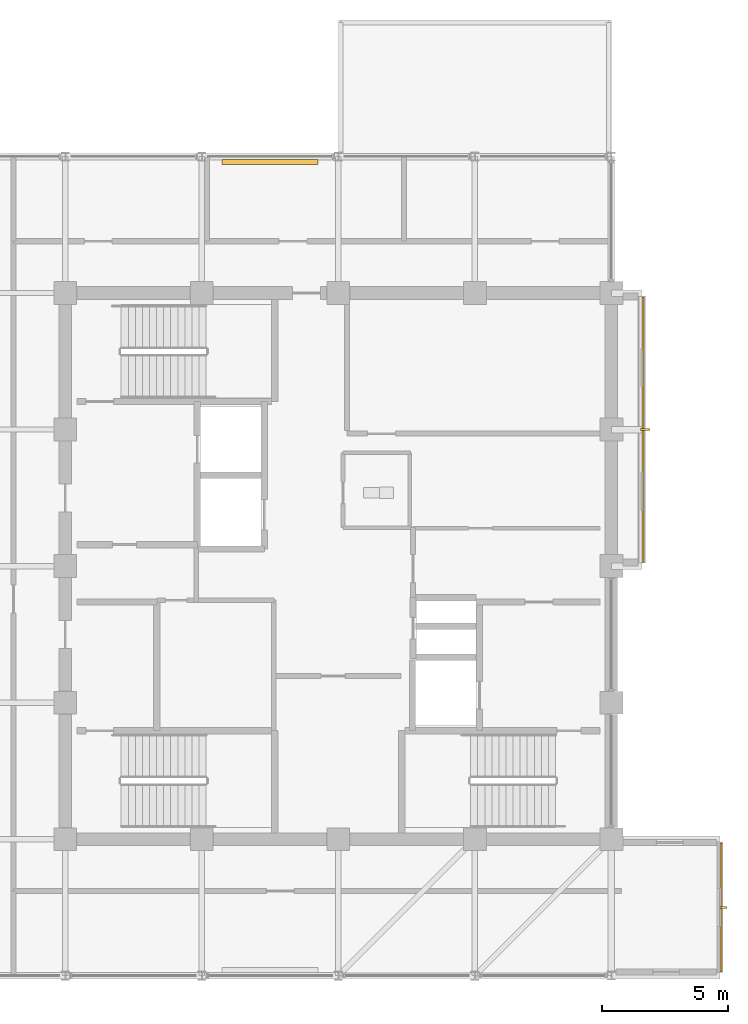
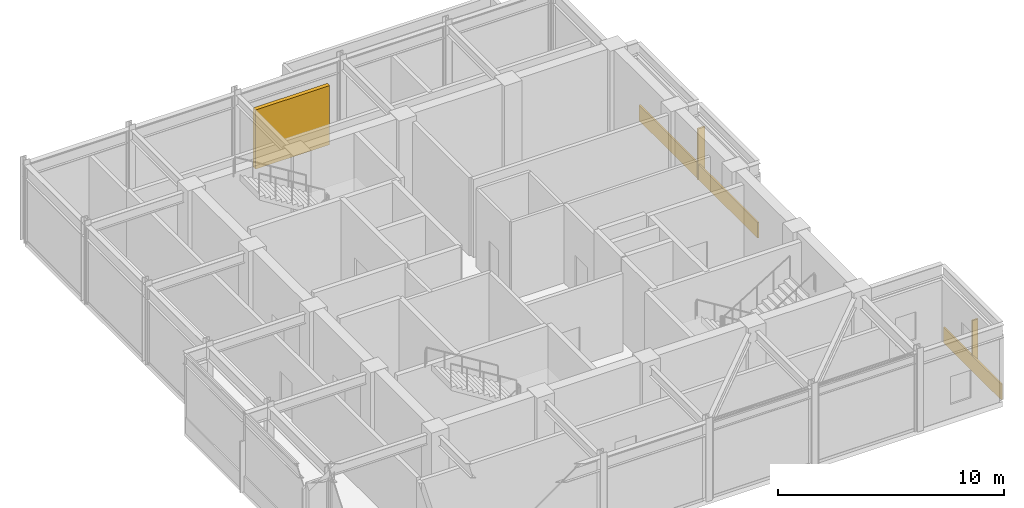
# One storey, part 17 of 18: 3 shading devices, 2 coverings.
"""IFC4 building model written with IfcOpenShell, lengths in metres."""

from ifc_helpers import new_model, si_unit, direction, frame, origin, origin_2d, place, context, subcontext, project, spatial, rectangle, extrude, material, layer, layer_set, type_object, element, save


model = new_model("IFC4")

# Units and contexts
model_context = context("Model", 3, precision=1e-05, world=origin(), true_north=direction((0.0, 1.0)))
body_context = subcontext(model_context, "Body", "Model", "MODEL_VIEW")
ifc_project = project(units=[si_unit("LENGTHUNIT", "METRE"), si_unit("AREAUNIT", "SQUARE_METRE"), si_unit("VOLUMEUNIT", "CUBIC_METRE"), si_unit("PLANEANGLEUNIT", "RADIAN"), si_unit("MASSUNIT", "GRAM", prefix="KILO")], contexts=[model_context])

# Site, building, storey
site_placement = place(None, origin())
site = spatial("IfcSite", under=ifc_project, at=site_placement, CompositionType="ELEMENT")
building_placement = place(site_placement, origin())
building = spatial("IfcBuilding", under=site, at=building_placement, Name="Surkhivell Harbour Commons", CompositionType="ELEMENT")
storey_placement = place(building_placement, frame((0.0, 0.0, 355.5)))
storey = spatial("IfcBuildingStorey", under=building, at=storey_placement, Name="L92", CompositionType="ELEMENT", Elevation=355.5)

# Coverings
ifc_material_1 = material(Name="Emerald-teal enamelled aluminium cassette panel", Category="aluminium")
ifc_layer_1 = layer(ifc_material_1, 0.068115234375)
ifc_layer_set_1 = layer_set([ifc_layer_1], Name="Emerald-teal enamelled aluminium cassette panel")
covering_type_1 = type_object("IfcCoveringType", Name="COV-CLAD-EME", PredefinedType="CLADDING", material=ifc_layer_set_1)
covering_1_placement = place(storey_placement, frame((12.0400390625, 5.39990234375, 0.0), z_axis=(0.0, 0.0, 1.0), x_axis=(1.0, 0.0, 0.0)))
element("IfcCovering", 1, at=covering_1_placement, inside=storey, type_object=covering_type_1, Name="L92 Coloured-Panel Box Spandrel Cassette 02", PredefinedType="CLADDING", context=body_context, shape_type="SweptSolid", body=[
    extrude(rectangle(XDim=0.080078125, YDim=10.5, at=origin_2d()), origin(), (0.0, 0.0, 1.0), 0.840087890625),
])
ifc_material_2 = material(Name="Vermilion-coral enamelled aluminium cassette panel", Category="aluminium")
ifc_layer_2 = layer(ifc_material_2, 0.074951171875)
ifc_layer_set_2 = layer_set([ifc_layer_2], Name="Vermilion-coral enamelled aluminium cassette panel")
covering_type_2 = type_object("IfcCoveringType", Name="COV-CLAD-VER", PredefinedType="CLADDING", material=ifc_layer_set_2)
covering_2_placement = place(storey_placement, frame((15.139892578125, -13.5, 0.0), z_axis=(0.0, 0.0, 1.0), x_axis=(1.0, 0.0, 0.0)))
element("IfcCovering", 2, at=covering_2_placement, inside=storey, type_object=covering_type_2, Name="L92 Coloured-Panel Box Spandrel Cassette 01", PredefinedType="CLADDING", context=body_context, shape_type="SweptSolid", body=[
    extrude(rectangle(XDim=0.080078125, YDim=5.10009765625, at=origin_2d()), origin(), (0.0, 0.0, 1.0), 0.840087890625),
])

# Shading devices
ifc_material_3 = material(Name="Champagne anodised aluminium solar fin", Category="aluminium")
shading_device_type_1 = type_object("IfcShadingDeviceType", Name="SHD-FIN-SLIM", PredefinedType="USERDEFINED", material=ifc_material_3)
shading_device_1_placement = place(storey_placement, frame((15.239990234375, -13.5, 0.0048828125), z_axis=(0.0, 0.0, 1.0), x_axis=(1.0, 0.0, 0.0)))
element("IfcShadingDevice", 3, at=shading_device_1_placement, inside=storey, type_object=shading_device_type_1, Name="L92 Coloured-Box Solar Fin 01", ObjectType="FIN", PredefinedType="USERDEFINED", context=body_context, shape_type="SweptSolid", body=[
    extrude(rectangle(XDim=0.280029296875, YDim=0.080078125, at=origin_2d()), origin(), (0.0, 0.0, 1.0), 2.75),
])
ifc_material_4 = material(Name="Anodised pale-metal aluminium solar fin", Category="aluminium")
shading_device_type_2 = type_object("IfcShadingDeviceType", Name="SHD-FIN-VERT", PredefinedType="USERDEFINED", material=ifc_material_4)
shading_device_2_placement = place(storey_placement, frame((12.139892578125, 5.39990234375, 0.0048828125), z_axis=(0.0, 0.0, 1.0), x_axis=(1.0, 0.0, 0.0)))
element("IfcShadingDevice", 4, at=shading_device_2_placement, inside=storey, type_object=shading_device_type_2, Name="L92 Coloured-Box Solar Fin 02", ObjectType="FIN", PredefinedType="USERDEFINED", context=body_context, shape_type="SweptSolid", body=[
    extrude(rectangle(XDim=0.360107421875, YDim=0.090087890625, at=origin_2d()), origin(), (0.0, 0.0, 1.0), 2.75),
])
ifc_material_5 = material(Name="Crown pale-metal storm louvre assembly", Category="aluminium")
shading_device_type_3 = type_object("IfcShadingDeviceType", Name="SHD-LOUV-CRN", PredefinedType="JALOUSIE", material=ifc_material_5)
shading_device_3_placement = place(storey_placement, frame((-2.699951171875, 15.97998046875, 0.0), z_axis=(0.0, 0.0, 1.0), x_axis=(1.0, 0.0, 0.0)))
element("IfcShadingDevice", 5, at=shading_device_3_placement, inside=storey, type_object=shading_device_type_3, Name="L92 Crown Acoustic Louvre Screen 02", PredefinedType="JALOUSIE", context=body_context, shape_type="SweptSolid", body=[
    extrude(rectangle(XDim=3.800048828125, YDim=0.199951171875, at=origin_2d()), origin(), (0.0, 0.0, 1.0), 3.199951171875),
])

save(model, "model.ifc")
